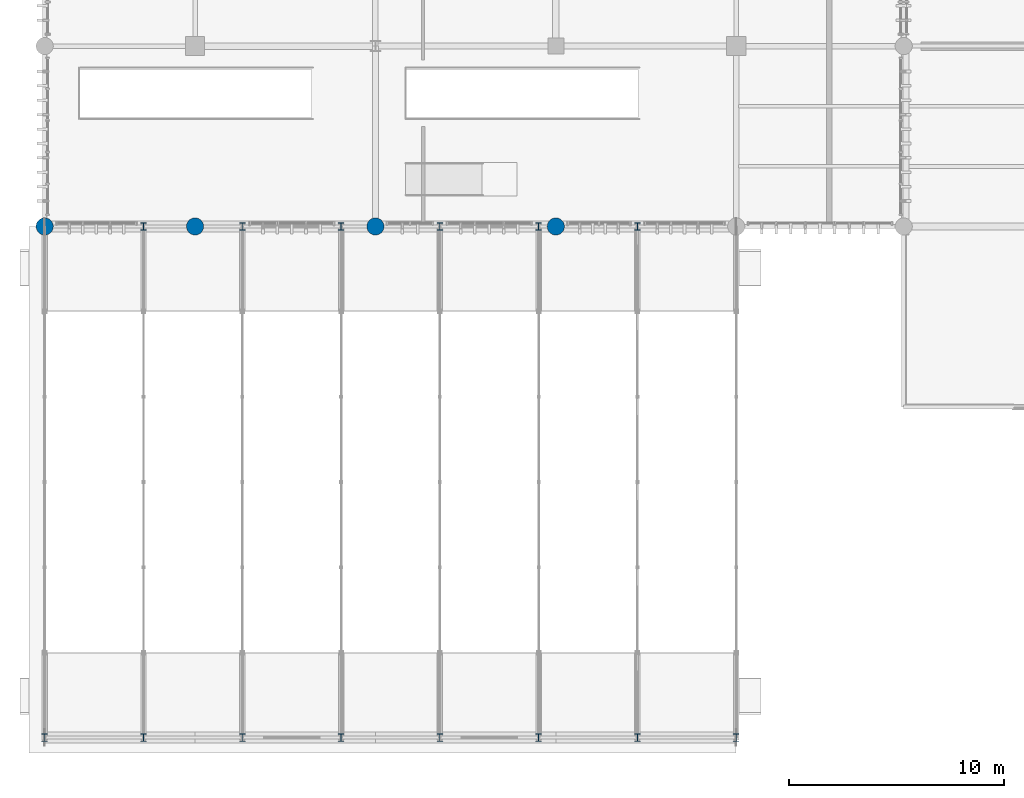
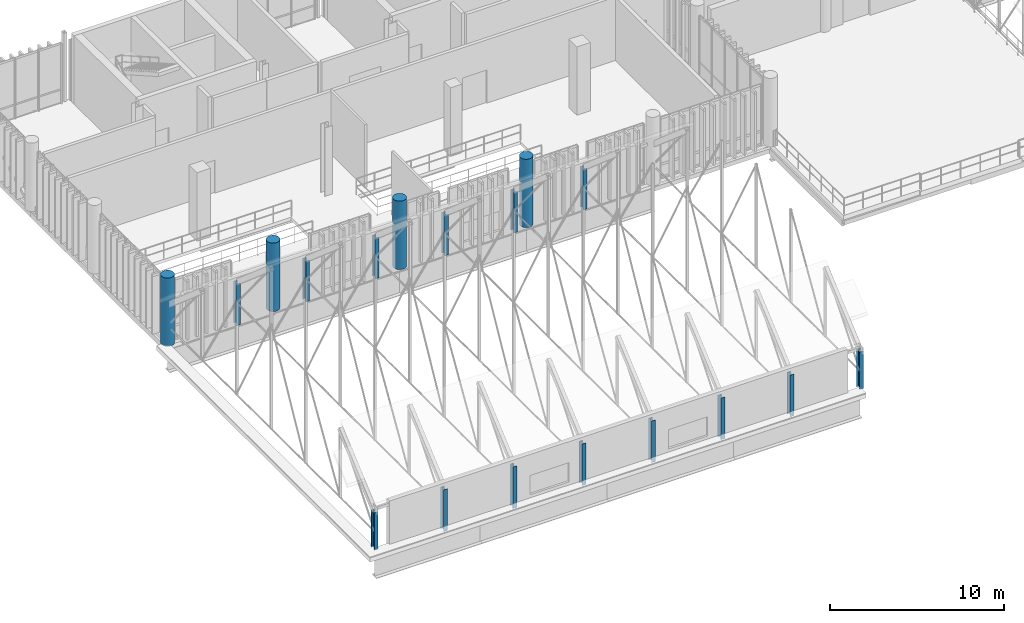
# One storey, part 1 of 109: 18 columns.
"""IFC4 building model written with IfcOpenShell, lengths in metres."""

from ifc_helpers import new_model, si_unit, direction, frame, origin_with_axes, origin_2d_with_axis, place, context, subcontext, project, spatial, circle, i_section, extrude, material, material_profile, profile_set, type_object, element, save


model = new_model("IFC4")

# Units and contexts
model_context = context("Model", 3, precision=1e-05, world=origin_with_axes(), true_north=direction((0.0, 1.0)))
body_context = subcontext(model_context, "Body", "Model", "MODEL_VIEW")
ifc_project = project(units=[si_unit("LENGTHUNIT", "METRE"), si_unit("AREAUNIT", "SQUARE_METRE"), si_unit("VOLUMEUNIT", "CUBIC_METRE"), si_unit("PLANEANGLEUNIT", "RADIAN"), si_unit("MASSUNIT", "GRAM", prefix="KILO"), si_unit("THERMODYNAMICTEMPERATUREUNIT", "KELVIN")], contexts=[model_context])

# Site, building, storey
site_placement = place(None, origin_with_axes())
site = spatial("IfcSite", under=ifc_project, at=site_placement, CompositionType="ELEMENT")
building_placement = place(site_placement, origin_with_axes())
building = spatial("IfcBuilding", under=site, at=building_placement, Name="Montbau Bow Law Courts", CompositionType="ELEMENT")
storey_placement = place(building_placement, frame((0.0, 0.0, 10.8), z_axis=(0.0, 0.0, 1.0), x_axis=(1.0, 0.0, 0.0)))
storey = spatial("IfcBuildingStorey", under=building, at=storey_placement, Name="L02", CompositionType="ELEMENT", Elevation=10.8)

# Columns
ifc_material_1 = material(Name="Concrete CSA A23.1 f'c 40 MPa", Category="concrete")
ifc_material_profile_1 = material_profile(ifc_material_1, circle(Radius=0.4, at=origin_2d_with_axis()), Name="RC800D", Category="Main", Priority=0)
ifc_profile_set_1 = profile_set([ifc_material_profile_1], Name="Concrete CSA A23.1 f'c 40 MPa")
column_type_1 = type_object("IfcColumnType", Name="C-RC-07", PredefinedType="COLUMN", material=ifc_profile_set_1)
for number, where, z_axis, x_axis, name in (
    (1, (6.8, 30.6, 10.8), (0.0, 0.0, 1.0), (1.0, 0.0, 0.0), "C-L02-S0520:col2_0520"),
    (2, (13.8, 30.6, 10.8), (0.0, 0.0, 1.0), (1.0, 0.0, 0.0), "C-L02-S0524:col2_0524"),
    (3, (22.2, 30.6, 10.8), (0.0, 0.0, 1.0), (1.0, 0.0, 0.0), "C-L02-S0528:col2_0528"),
    (4, (30.6, 30.6, 10.8), (0.0, 0.0, 1.0), (1.0, 0.0, 0.0), "C-L02-S0532:col2_0532"),
):
    element("IfcColumn", number, at=place(None, frame(where, z_axis=z_axis, x_axis=x_axis)), inside=storey, type_object=column_type_1, Name=name, PredefinedType="COLUMN", context=body_context, shape_type="SweptSolid", body=[
        extrude(circle(Radius=0.4, at=origin_2d_with_axis()), origin_with_axes(), (0.0, 0.0, 1.0), 4.8),
    ])
ifc_material_2 = material(Name="Steel CSA G40.21 Grade 350W (350 MPa)", Category="steel")
ifc_material_profile_2 = material_profile(ifc_material_2, i_section(OverallWidth=0.257, OverallDepth=0.363, WebThickness=0.013, FlangeThickness=0.0217, at=origin_2d_with_axis()), Name="W360X122", Category="Main", Priority=0)
ifc_profile_set_2 = profile_set([ifc_material_profile_2], Name="Steel CSA G40.21 Grade 350W (350 MPa)")
column_type_2 = type_object("IfcColumnType", Name="C-STL-05", PredefinedType="COLUMN", material=ifc_profile_set_2)
column_1_placement = place(None, frame((6.8, 6.8, 10.8), z_axis=(0.0, 0.0, 1.0), x_axis=(1.0, 0.0, 0.0)))
element("IfcColumn", 5, at=column_1_placement, inside=storey, type_object=column_type_2, Name="C-VLT-V1-01S:col2_1164", PredefinedType="COLUMN", context=body_context, shape_type="SweptSolid", body=[
    extrude(i_section(OverallWidth=0.257, OverallDepth=0.363, WebThickness=0.013, FlangeThickness=0.0217, at=origin_2d_with_axis()), origin_with_axes(), (0.0, 0.0, 1.0), 2.629),
])
for number, where, z_axis, x_axis, name in (
    (6, (11.4, 6.8, 10.51), (0.0, 0.0, 1.0), (1.0, 0.0, 0.0), "C-VLT-V1-02S:col2_1165"),
    (7, (11.4, 30.6, 10.51), (0.0, 0.0, 1.0), (1.0, 0.0, 0.0), "C-VLT-V1-02N:col2_1166"),
    (8, (16.0, 6.8, 10.51), (0.0, 0.0, 1.0), (1.0, 0.0, 0.0), "C-VLT-V1-03S:col2_1167"),
):
    element("IfcColumn", number, at=place(None, frame(where, z_axis=z_axis, x_axis=x_axis)), inside=storey, type_object=column_type_2, Name=name, PredefinedType="COLUMN", context=body_context, shape_type="SweptSolid", body=[
        extrude(i_section(OverallWidth=0.257, OverallDepth=0.363, WebThickness=0.013, FlangeThickness=0.0217, at=origin_2d_with_axis()), origin_with_axes(), (0.0, 0.0, 1.0), 2.919),
    ])
column_2_placement = place(None, frame((16.0, 30.6, 10.58), z_axis=(0.0, 0.0, 1.0), x_axis=(1.0, 0.0, 0.0)))
element("IfcColumn", 9, at=column_2_placement, inside=storey, type_object=column_type_2, Name="C-VLT-V1-03N:col2_1168", PredefinedType="COLUMN", context=body_context, shape_type="SweptSolid", body=[
    extrude(i_section(OverallWidth=0.257, OverallDepth=0.363, WebThickness=0.013, FlangeThickness=0.0217, at=origin_2d_with_axis()), origin_with_axes(), (0.0, 0.0, 1.0), 2.849),
])
column_3_placement = place(None, frame((20.6, 6.8, 10.51), z_axis=(0.0, 0.0, 1.0), x_axis=(1.0, 0.0, 0.0)))
element("IfcColumn", 10, at=column_3_placement, inside=storey, type_object=column_type_2, Name="C-VLT-V1-04S:col2_1169", PredefinedType="COLUMN", context=body_context, shape_type="SweptSolid", body=[
    extrude(i_section(OverallWidth=0.257, OverallDepth=0.363, WebThickness=0.013, FlangeThickness=0.0217, at=origin_2d_with_axis()), origin_with_axes(), (0.0, 0.0, 1.0), 2.919),
])
column_4_placement = place(None, frame((20.6, 30.6, 10.58), z_axis=(0.0, 0.0, 1.0), x_axis=(1.0, 0.0, 0.0)))
element("IfcColumn", 11, at=column_4_placement, inside=storey, type_object=column_type_2, Name="C-VLT-V1-04N:col2_1170", PredefinedType="COLUMN", context=body_context, shape_type="SweptSolid", body=[
    extrude(i_section(OverallWidth=0.257, OverallDepth=0.363, WebThickness=0.013, FlangeThickness=0.0217, at=origin_2d_with_axis()), origin_with_axes(), (0.0, 0.0, 1.0), 2.849),
])
column_5_placement = place(None, frame((25.2, 6.8, 10.51), z_axis=(0.0, 0.0, 1.0), x_axis=(1.0, 0.0, 0.0)))
element("IfcColumn", 12, at=column_5_placement, inside=storey, type_object=column_type_2, Name="C-VLT-V1-05S:col2_1171", PredefinedType="COLUMN", context=body_context, shape_type="SweptSolid", body=[
    extrude(i_section(OverallWidth=0.257, OverallDepth=0.363, WebThickness=0.013, FlangeThickness=0.0217, at=origin_2d_with_axis()), origin_with_axes(), (0.0, 0.0, 1.0), 2.919),
])
column_6_placement = place(None, frame((25.2, 30.6, 10.58), z_axis=(0.0, 0.0, 1.0), x_axis=(1.0, 0.0, 0.0)))
element("IfcColumn", 13, at=column_6_placement, inside=storey, type_object=column_type_2, Name="C-VLT-V1-05N:col2_1172", PredefinedType="COLUMN", context=body_context, shape_type="SweptSolid", body=[
    extrude(i_section(OverallWidth=0.257, OverallDepth=0.363, WebThickness=0.013, FlangeThickness=0.0217, at=origin_2d_with_axis()), origin_with_axes(), (0.0, 0.0, 1.0), 2.849),
])
column_7_placement = place(None, frame((29.8, 6.8, 10.51), z_axis=(0.0, 0.0, 1.0), x_axis=(1.0, 0.0, 0.0)))
element("IfcColumn", 14, at=column_7_placement, inside=storey, type_object=column_type_2, Name="C-VLT-V1-06S:col2_1173", PredefinedType="COLUMN", context=body_context, shape_type="SweptSolid", body=[
    extrude(i_section(OverallWidth=0.257, OverallDepth=0.363, WebThickness=0.013, FlangeThickness=0.0217, at=origin_2d_with_axis()), origin_with_axes(), (0.0, 0.0, 1.0), 2.919),
])
column_8_placement = place(None, frame((29.8, 30.6, 10.58), z_axis=(0.0, 0.0, 1.0), x_axis=(1.0, 0.0, 0.0)))
element("IfcColumn", 15, at=column_8_placement, inside=storey, type_object=column_type_2, Name="C-VLT-V1-06N:col2_1174", PredefinedType="COLUMN", context=body_context, shape_type="SweptSolid", body=[
    extrude(i_section(OverallWidth=0.257, OverallDepth=0.363, WebThickness=0.013, FlangeThickness=0.0217, at=origin_2d_with_axis()), origin_with_axes(), (0.0, 0.0, 1.0), 2.849),
])
column_9_placement = place(None, frame((34.4, 6.8, 10.51), z_axis=(0.0, 0.0, 1.0), x_axis=(1.0, 0.0, 0.0)))
element("IfcColumn", 16, at=column_9_placement, inside=storey, type_object=column_type_2, Name="C-VLT-V1-07S:col2_1175", PredefinedType="COLUMN", context=body_context, shape_type="SweptSolid", body=[
    extrude(i_section(OverallWidth=0.257, OverallDepth=0.363, WebThickness=0.013, FlangeThickness=0.0217, at=origin_2d_with_axis()), origin_with_axes(), (0.0, 0.0, 1.0), 2.919),
])
column_10_placement = place(None, frame((34.4, 30.6, 10.58), z_axis=(0.0, 0.0, 1.0), x_axis=(1.0, 0.0, 0.0)))
element("IfcColumn", 17, at=column_10_placement, inside=storey, type_object=column_type_2, Name="C-VLT-V1-07N:col2_1176", PredefinedType="COLUMN", context=body_context, shape_type="SweptSolid", body=[
    extrude(i_section(OverallWidth=0.257, OverallDepth=0.363, WebThickness=0.013, FlangeThickness=0.0217, at=origin_2d_with_axis()), origin_with_axes(), (0.0, 0.0, 1.0), 2.849),
])
column_11_placement = place(None, frame((39.0, 6.8, 10.8), z_axis=(0.0, 0.0, 1.0), x_axis=(1.0, 0.0, 0.0)))
element("IfcColumn", 18, at=column_11_placement, inside=storey, type_object=column_type_2, Name="C-VLT-V1-08S:col2_1177", PredefinedType="COLUMN", context=body_context, shape_type="SweptSolid", body=[
    extrude(i_section(OverallWidth=0.257, OverallDepth=0.363, WebThickness=0.013, FlangeThickness=0.0217, at=origin_2d_with_axis()), origin_with_axes(), (0.0, 0.0, 1.0), 2.629),
])

save(model, "model.ifc")
